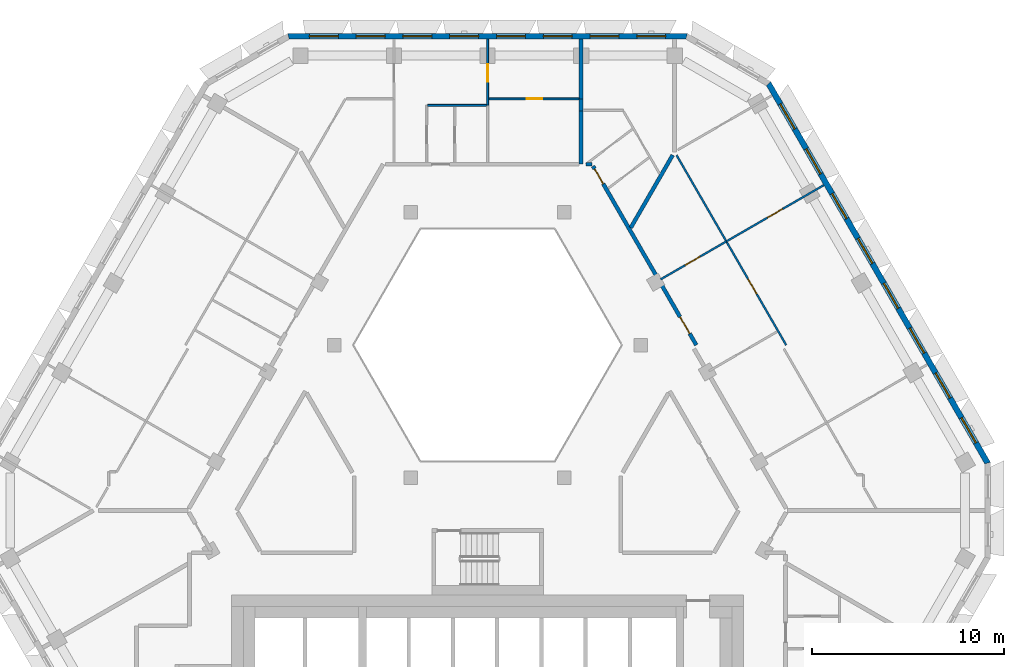
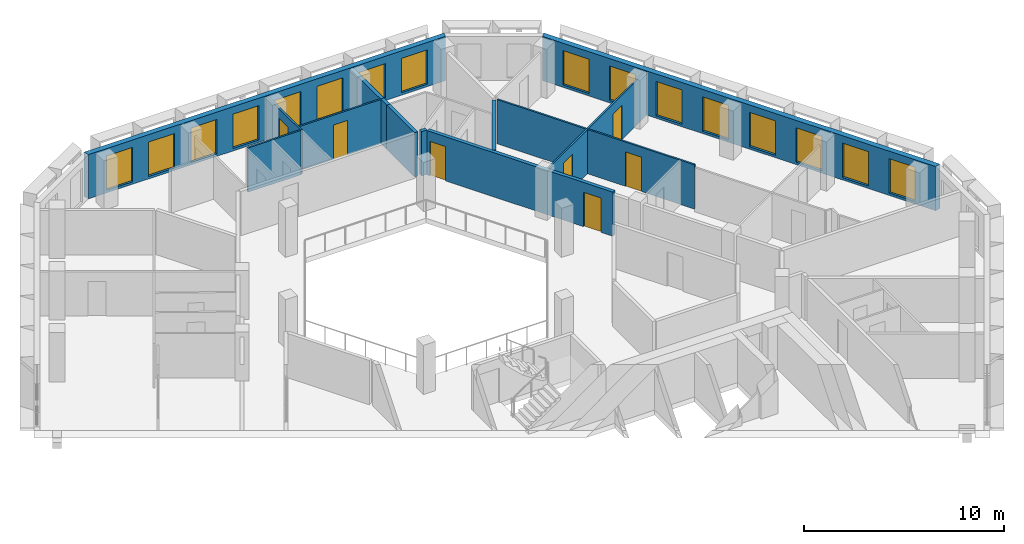
# One storey, part 8 of 17: 16 windows, 14 walls, 7 doors, 23 openings.
"""IFC4 building model written with IfcOpenShell, lengths in metres."""

from ifc_helpers import new_model, si_unit, direction, frame, frame_2d, origin, place, context, subcontext, project, spatial, polyline, rectangle, outline, extrude, material, layer, layer_set, type_object, element, fill, save


model = new_model("IFC4")

# Units and contexts
model_context = context("Model", 3, precision=1e-05, world=origin(), true_north=direction((0.0, 1.0)))
body_context = subcontext(model_context, "Body", "Model", "MODEL_VIEW")
ifc_project = project(units=[si_unit("LENGTHUNIT", "METRE"), si_unit("AREAUNIT", "SQUARE_METRE"), si_unit("VOLUMEUNIT", "CUBIC_METRE"), si_unit("PLANEANGLEUNIT", "RADIAN"), si_unit("MASSUNIT", "GRAM", prefix="KILO")], contexts=[model_context])

# Site, building, storey
site_placement = place(None, origin())
site = spatial("IfcSite", under=ifc_project, at=site_placement, CompositionType="ELEMENT")
building_placement = place(site_placement, origin())
building = spatial("IfcBuilding", under=site, at=building_placement, Name="Beryl Residences", CompositionType="ELEMENT")
storey_placement = place(building_placement, frame((0.0, 0.0, 178.199951171875)))
storey = spatial("IfcBuildingStorey", under=building, at=storey_placement, Name="L54", CompositionType="ELEMENT", Elevation=178.199951171875)

# Wall, openings, windows
ifc_material_1 = material(Name="Composite metal panel with mineral wool insulation")
ifc_layer_1 = layer(ifc_material_1, 0.300048828125)
ifc_layer_set_1 = layer_set([ifc_layer_1], Name="ES1 pale metal composite panel wall 300 mm")
wall_type_1 = type_object("IfcWallType", Name="ES1 pale metal composite panel wall 300 mm", PredefinedType="SOLIDWALL", material=ifc_layer_set_1)
wall_1_placement = place(storey_placement, frame((10.39208984375, 24.050048828125, 0.0), z_axis=(0.0, 0.0, 1.0), x_axis=(-1.0, 0.0, 0.0)))
wall_1 = element("IfcWall", 1, at=wall_1_placement, inside=storey, type_object=wall_type_1, Name="ES1 external wall L54 N", PredefinedType="SOLIDWALL", context=body_context, shape_type="SweptSolid", body=[
    extrude(outline(polyline([(0.0, -0.14990234375), (20.7841796875, -0.14990234375), (20.703857421875, 0.14990234375), (0.080322265625, 0.14990234375), (0.0, -0.14990234375)])), origin(), (0.0, 0.0, 1.0), 2.699951171875),
])
opening_1_placement = place(wall_1_placement, frame((1.1298828125, 0.0, 0.14990234375)))
opening_1 = element("IfcOpeningElement", 2, at=opening_1_placement, cuts=wall_1, Name="Opening W1", PredefinedType="OPENING", context=body_context, shape_type="SweptSolid", body=[
    extrude(rectangle(XDim=1.5, YDim=2.10009765625, at=frame_2d((0.75, 1.050048828125))), frame((0.0, 0.159912109375, 0.0), z_axis=(0.0, -1.0, 0.0), x_axis=(1.0, 0.0, 0.0)), (0.0, 0.0, 1.0), 0.320068359375),
])
opening_2_placement = place(wall_1_placement, frame((3.56201171875, 0.0, 0.14990234375)))
opening_2 = element("IfcOpeningElement", 3, at=opening_2_placement, cuts=wall_1, Name="Opening W1", PredefinedType="OPENING", context=body_context, shape_type="SweptSolid", body=[
    extrude(rectangle(XDim=1.5, YDim=2.10009765625, at=frame_2d((0.75, 1.050048828125))), frame((0.0, 0.159912109375, 0.0), z_axis=(0.0, -1.0, 0.0), x_axis=(1.0, 0.0, 0.0)), (0.0, 0.0, 1.0), 0.320068359375),
])
opening_3_placement = place(wall_1_placement, frame((5.993896484375, 0.0, 0.14990234375)))
opening_3 = element("IfcOpeningElement", 4, at=opening_3_placement, cuts=wall_1, Name="Opening W1", PredefinedType="OPENING", context=body_context, shape_type="SweptSolid", body=[
    extrude(rectangle(XDim=1.5, YDim=2.10009765625, at=frame_2d((0.75, 1.050048828125))), frame((0.0, 0.159912109375, 0.0), z_axis=(0.0, -1.0, 0.0), x_axis=(1.0, 0.0, 0.0)), (0.0, 0.0, 1.0), 0.320068359375),
])
opening_4_placement = place(wall_1_placement, frame((8.426025390625, 0.0, 0.14990234375)))
opening_4 = element("IfcOpeningElement", 5, at=opening_4_placement, cuts=wall_1, Name="Opening W1", PredefinedType="OPENING", context=body_context, shape_type="SweptSolid", body=[
    extrude(rectangle(XDim=1.5, YDim=2.10009765625, at=frame_2d((0.75, 1.050048828125))), frame((0.0, 0.159912109375, 0.0), z_axis=(0.0, -1.0, 0.0), x_axis=(1.0, 0.0, 0.0)), (0.0, 0.0, 1.0), 0.320068359375),
])
opening_5_placement = place(wall_1_placement, frame((10.85791015625, 0.0, 0.14990234375)))
opening_5 = element("IfcOpeningElement", 6, at=opening_5_placement, cuts=wall_1, Name="Opening W1", PredefinedType="OPENING", context=body_context, shape_type="SweptSolid", body=[
    extrude(rectangle(XDim=1.5, YDim=2.10009765625, at=frame_2d((0.75, 1.050048828125))), frame((0.0, 0.159912109375, 0.0), z_axis=(0.0, -1.0, 0.0), x_axis=(1.0, 0.0, 0.0)), (0.0, 0.0, 1.0), 0.320068359375),
])
opening_6_placement = place(wall_1_placement, frame((13.2900390625, 0.0, 0.14990234375)))
opening_6 = element("IfcOpeningElement", 7, at=opening_6_placement, cuts=wall_1, Name="Opening W1", PredefinedType="OPENING", context=body_context, shape_type="SweptSolid", body=[
    extrude(rectangle(XDim=1.5, YDim=2.10009765625, at=frame_2d((0.75, 1.050048828125))), frame((0.0, 0.159912109375, 0.0), z_axis=(0.0, -1.0, 0.0), x_axis=(1.0, 0.0, 0.0)), (0.0, 0.0, 1.0), 0.320068359375),
])
opening_7_placement = place(wall_1_placement, frame((15.721923828125, 0.0, 0.14990234375)))
opening_7 = element("IfcOpeningElement", 8, at=opening_7_placement, cuts=wall_1, Name="Opening W1", PredefinedType="OPENING", context=body_context, shape_type="SweptSolid", body=[
    extrude(rectangle(XDim=1.5, YDim=2.10009765625, at=frame_2d((0.75, 1.050048828125))), frame((0.0, 0.159912109375, 0.0), z_axis=(0.0, -1.0, 0.0), x_axis=(1.0, 0.0, 0.0)), (0.0, 0.0, 1.0), 0.320068359375),
])
opening_8_placement = place(wall_1_placement, frame((18.154052734375, 0.0, 0.14990234375)))
opening_8 = element("IfcOpeningElement", 9, at=opening_8_placement, cuts=wall_1, Name="Opening W1", PredefinedType="OPENING", context=body_context, shape_type="SweptSolid", body=[
    extrude(rectangle(XDim=1.5, YDim=2.10009765625, at=frame_2d((0.75, 1.050048828125))), frame((0.0, 0.159912109375, 0.0), z_axis=(0.0, -1.0, 0.0), x_axis=(1.0, 0.0, 0.0)), (0.0, 0.0, 1.0), 0.320068359375),
])
ifc_material_2 = material(Name="Aluminium and clear glass", Category="aluminium")
window_type = type_object("IfcWindowType", Name="W1 cell window 1500 x 2100 mm", PartitioningType="SINGLE_PANEL", PredefinedType="WINDOW", material=ifc_material_2)
window_1_placement = place(opening_1_placement, origin())
window_1 = element("IfcWindow", 10, at=window_1_placement, inside=storey, type_object=window_type, Name="W1 window L54 N 1", OverallHeight=2.10009765625, OverallWidth=1.5, PartitioningType="SINGLE_PANEL", PredefinedType="WINDOW", context=body_context, shape_type="SweptSolid", body=[
    extrude(rectangle(XDim=1.5, YDim=2.10009765625, at=frame_2d((0.75, 1.050048828125))), frame((0.0, 0.030029296875, 0.0), z_axis=(0.0, -1.0, 0.0), x_axis=(1.0, 0.0, 0.0)), (0.0, 0.0, 1.0), 0.06005859375),
])
fill(opening_1, window_1)
window_2_placement = place(opening_2_placement, origin())
window_2 = element("IfcWindow", 11, at=window_2_placement, inside=storey, type_object=window_type, Name="W1 window L54 N 2", OverallHeight=2.10009765625, OverallWidth=1.5, PartitioningType="SINGLE_PANEL", PredefinedType="WINDOW", context=body_context, shape_type="SweptSolid", body=[
    extrude(rectangle(XDim=1.5, YDim=2.10009765625, at=frame_2d((0.75, 1.050048828125))), frame((0.0, 0.030029296875, 0.0), z_axis=(0.0, -1.0, 0.0), x_axis=(1.0, 0.0, 0.0)), (0.0, 0.0, 1.0), 0.06005859375),
])
fill(opening_2, window_2)
window_3_placement = place(opening_3_placement, origin())
window_3 = element("IfcWindow", 12, at=window_3_placement, inside=storey, type_object=window_type, Name="W1 window L54 N 3", OverallHeight=2.10009765625, OverallWidth=1.5, PartitioningType="SINGLE_PANEL", PredefinedType="WINDOW", context=body_context, shape_type="SweptSolid", body=[
    extrude(rectangle(XDim=1.5, YDim=2.10009765625, at=frame_2d((0.75, 1.050048828125))), frame((0.0, 0.030029296875, 0.0), z_axis=(0.0, -1.0, 0.0), x_axis=(1.0, 0.0, 0.0)), (0.0, 0.0, 1.0), 0.06005859375),
])
fill(opening_3, window_3)
window_4_placement = place(opening_4_placement, origin())
window_4 = element("IfcWindow", 13, at=window_4_placement, inside=storey, type_object=window_type, Name="W1 window L54 N 4", OverallHeight=2.10009765625, OverallWidth=1.5, PartitioningType="SINGLE_PANEL", PredefinedType="WINDOW", context=body_context, shape_type="SweptSolid", body=[
    extrude(rectangle(XDim=1.5, YDim=2.10009765625, at=frame_2d((0.75, 1.050048828125))), frame((0.0, 0.030029296875, 0.0), z_axis=(0.0, -1.0, 0.0), x_axis=(1.0, 0.0, 0.0)), (0.0, 0.0, 1.0), 0.06005859375),
])
fill(opening_4, window_4)
window_5_placement = place(opening_5_placement, origin())
window_5 = element("IfcWindow", 14, at=window_5_placement, inside=storey, type_object=window_type, Name="W1 window L54 N 5", OverallHeight=2.10009765625, OverallWidth=1.5, PartitioningType="SINGLE_PANEL", PredefinedType="WINDOW", context=body_context, shape_type="SweptSolid", body=[
    extrude(rectangle(XDim=1.5, YDim=2.10009765625, at=frame_2d((0.75, 1.050048828125))), frame((0.0, 0.030029296875, 0.0), z_axis=(0.0, -1.0, 0.0), x_axis=(1.0, 0.0, 0.0)), (0.0, 0.0, 1.0), 0.06005859375),
])
fill(opening_5, window_5)
window_6_placement = place(opening_6_placement, origin())
window_6 = element("IfcWindow", 15, at=window_6_placement, inside=storey, type_object=window_type, Name="W1 window L54 N 6", OverallHeight=2.10009765625, OverallWidth=1.5, PartitioningType="SINGLE_PANEL", PredefinedType="WINDOW", context=body_context, shape_type="SweptSolid", body=[
    extrude(rectangle(XDim=1.5, YDim=2.10009765625, at=frame_2d((0.75, 1.050048828125))), frame((0.0, 0.030029296875, 0.0), z_axis=(0.0, -1.0, 0.0), x_axis=(1.0, 0.0, 0.0)), (0.0, 0.0, 1.0), 0.06005859375),
])
fill(opening_6, window_6)
window_7_placement = place(opening_7_placement, origin())
window_7 = element("IfcWindow", 16, at=window_7_placement, inside=storey, type_object=window_type, Name="W1 window L54 N 7", OverallHeight=2.10009765625, OverallWidth=1.5, PartitioningType="SINGLE_PANEL", PredefinedType="WINDOW", context=body_context, shape_type="SweptSolid", body=[
    extrude(rectangle(XDim=1.5, YDim=2.10009765625, at=frame_2d((0.75, 1.050048828125))), frame((0.0, 0.030029296875, 0.0), z_axis=(0.0, -1.0, 0.0), x_axis=(1.0, 0.0, 0.0)), (0.0, 0.0, 1.0), 0.06005859375),
])
fill(opening_7, window_7)
window_8_placement = place(opening_8_placement, origin())
window_8 = element("IfcWindow", 17, at=window_8_placement, inside=storey, type_object=window_type, Name="W1 window L54 N 8", OverallHeight=2.10009765625, OverallWidth=1.5, PartitioningType="SINGLE_PANEL", PredefinedType="WINDOW", context=body_context, shape_type="SweptSolid", body=[
    extrude(rectangle(XDim=1.5, YDim=2.10009765625, at=frame_2d((0.75, 1.050048828125))), frame((0.0, 0.030029296875, 0.0), z_axis=(0.0, -1.0, 0.0), x_axis=(1.0, 0.0, 0.0)), (0.0, 0.0, 1.0), 0.06005859375),
])
fill(opening_8, window_8)

wall_2_placement = place(storey_placement, frame((26.02392578125, 1.824951171875, 0.0), z_axis=(0.0, 0.0, 1.0), x_axis=(-0.500010537973, 0.866019319597, 0.0)))
wall_2 = element("IfcWall", 18, at=wall_2_placement, inside=storey, type_object=wall_type_1, Name="ES1 external wall L54 NE", PredefinedType="SOLIDWALL", context=body_context, shape_type="SweptSolid", body=[
    extrude(outline(polyline([(0.0, -0.14990234375), (22.86328125, -0.14990234375), (22.782958984375, 0.14990234375), (0.080322265625, 0.14990234375), (0.0, -0.14990234375)])), origin(), (0.0, 0.0, 1.0), 2.699951171875),
])
opening_9_placement = place(wall_2_placement, frame((1.259033203125, 0.0, 0.14990234375)))
opening_9 = element("IfcOpeningElement", 19, at=opening_9_placement, cuts=wall_2, Name="Opening W1", PredefinedType="OPENING", context=body_context, shape_type="SweptSolid", body=[
    extrude(rectangle(XDim=1.5, YDim=2.10009765625, at=frame_2d((0.75, 1.050048828125))), frame((0.0, 0.159912109375, 0.0), z_axis=(0.0, -1.0, 0.0), x_axis=(1.0, 0.0, 0.0)), (0.0, 0.0, 1.0), 0.320068359375),
])
opening_10_placement = place(wall_2_placement, frame((3.951904296875, 0.0, 0.14990234375)))
opening_10 = element("IfcOpeningElement", 20, at=opening_10_placement, cuts=wall_2, Name="Opening W1", PredefinedType="OPENING", context=body_context, shape_type="SweptSolid", body=[
    extrude(rectangle(XDim=1.5, YDim=2.10009765625, at=frame_2d((0.75, 1.050048828125))), frame((0.0, 0.159912109375, 0.0), z_axis=(0.0, -1.0, 0.0), x_axis=(1.0, 0.0, 0.0)), (0.0, 0.0, 1.0), 0.320068359375),
])
opening_11_placement = place(wall_2_placement, frame((6.64404296875, 0.0, 0.14990234375)))
opening_11 = element("IfcOpeningElement", 21, at=opening_11_placement, cuts=wall_2, Name="Opening W1", PredefinedType="OPENING", context=body_context, shape_type="SweptSolid", body=[
    extrude(rectangle(XDim=1.5, YDim=2.10009765625, at=frame_2d((0.75, 1.050048828125))), frame((0.0, 0.159912109375, 0.0), z_axis=(0.0, -1.0, 0.0), x_axis=(1.0, 0.0, 0.0)), (0.0, 0.0, 1.0), 0.320068359375),
])
opening_12_placement = place(wall_2_placement, frame((9.3349609375, 0.0, 0.14990234375)))
opening_12 = element("IfcOpeningElement", 22, at=opening_12_placement, cuts=wall_2, Name="Opening W1", PredefinedType="OPENING", context=body_context, shape_type="SweptSolid", body=[
    extrude(rectangle(XDim=1.5, YDim=2.10009765625, at=frame_2d((0.75, 1.050048828125))), frame((0.0, 0.159912109375, 0.0), z_axis=(0.0, -1.0, 0.0), x_axis=(1.0, 0.0, 0.0)), (0.0, 0.0, 1.0), 0.320068359375),
])
opening_13_placement = place(wall_2_placement, frame((12.028076171875, 0.0, 0.14990234375)))
opening_13 = element("IfcOpeningElement", 23, at=opening_13_placement, cuts=wall_2, Name="Opening W1", PredefinedType="OPENING", context=body_context, shape_type="SweptSolid", body=[
    extrude(rectangle(XDim=1.5, YDim=2.10009765625, at=frame_2d((0.75, 1.050048828125))), frame((0.0, 0.159912109375, 0.0), z_axis=(0.0, -1.0, 0.0), x_axis=(1.0, 0.0, 0.0)), (0.0, 0.0, 1.0), 0.320068359375),
])
opening_14_placement = place(wall_2_placement, frame((14.719970703125, 0.0, 0.14990234375)))
opening_14 = element("IfcOpeningElement", 24, at=opening_14_placement, cuts=wall_2, Name="Opening W1", PredefinedType="OPENING", context=body_context, shape_type="SweptSolid", body=[
    extrude(rectangle(XDim=1.5, YDim=2.10009765625, at=frame_2d((0.75, 1.050048828125))), frame((0.0, 0.159912109375, 0.0), z_axis=(0.0, -1.0, 0.0), x_axis=(1.0, 0.0, 0.0)), (0.0, 0.0, 1.0), 0.320068359375),
])
opening_15_placement = place(wall_2_placement, frame((17.410888671875, 0.0, 0.14990234375)))
opening_15 = element("IfcOpeningElement", 25, at=opening_15_placement, cuts=wall_2, Name="Opening W1", PredefinedType="OPENING", context=body_context, shape_type="SweptSolid", body=[
    extrude(rectangle(XDim=1.5, YDim=2.10009765625, at=frame_2d((0.75, 1.050048828125))), frame((0.0, 0.159912109375, 0.0), z_axis=(0.0, -1.0, 0.0), x_axis=(1.0, 0.0, 0.0)), (0.0, 0.0, 1.0), 0.320068359375),
])
opening_16_placement = place(wall_2_placement, frame((20.10400390625, 0.0, 0.14990234375)))
opening_16 = element("IfcOpeningElement", 26, at=opening_16_placement, cuts=wall_2, Name="Opening W1", PredefinedType="OPENING", context=body_context, shape_type="SweptSolid", body=[
    extrude(rectangle(XDim=1.5, YDim=2.10009765625, at=frame_2d((0.75, 1.050048828125))), frame((0.0, 0.159912109375, 0.0), z_axis=(0.0, -1.0, 0.0), x_axis=(1.0, 0.0, 0.0)), (0.0, 0.0, 1.0), 0.320068359375),
])
window_9_placement = place(opening_9_placement, origin())
window_9 = element("IfcWindow", 27, at=window_9_placement, inside=storey, type_object=window_type, Name="W1 window L54 NE 1", OverallHeight=2.10009765625, OverallWidth=1.5, PartitioningType="SINGLE_PANEL", PredefinedType="WINDOW", context=body_context, shape_type="SweptSolid", body=[
    extrude(rectangle(XDim=1.5, YDim=2.10009765625, at=frame_2d((0.75, 1.050048828125))), frame((0.0, 0.030029296875, 0.0), z_axis=(0.0, -1.0, 0.0), x_axis=(1.0, 0.0, 0.0)), (0.0, 0.0, 1.0), 0.06005859375),
])
fill(opening_9, window_9)
window_10_placement = place(opening_10_placement, origin())
window_10 = element("IfcWindow", 28, at=window_10_placement, inside=storey, type_object=window_type, Name="W1 window L54 NE 2", OverallHeight=2.10009765625, OverallWidth=1.5, PartitioningType="SINGLE_PANEL", PredefinedType="WINDOW", context=body_context, shape_type="SweptSolid", body=[
    extrude(rectangle(XDim=1.5, YDim=2.10009765625, at=frame_2d((0.75, 1.050048828125))), frame((0.0, 0.030029296875, 0.0), z_axis=(0.0, -1.0, 0.0), x_axis=(1.0, 0.0, 0.0)), (0.0, 0.0, 1.0), 0.06005859375),
])
fill(opening_10, window_10)
window_11_placement = place(opening_11_placement, origin())
window_11 = element("IfcWindow", 29, at=window_11_placement, inside=storey, type_object=window_type, Name="W1 window L54 NE 3", OverallHeight=2.10009765625, OverallWidth=1.5, PartitioningType="SINGLE_PANEL", PredefinedType="WINDOW", context=body_context, shape_type="SweptSolid", body=[
    extrude(rectangle(XDim=1.5, YDim=2.10009765625, at=frame_2d((0.75, 1.050048828125))), frame((0.0, 0.030029296875, 0.0), z_axis=(0.0, -1.0, 0.0), x_axis=(1.0, 0.0, 0.0)), (0.0, 0.0, 1.0), 0.06005859375),
])
fill(opening_11, window_11)
window_12_placement = place(opening_12_placement, origin())
window_12 = element("IfcWindow", 30, at=window_12_placement, inside=storey, type_object=window_type, Name="W1 window L54 NE 4", OverallHeight=2.10009765625, OverallWidth=1.5, PartitioningType="SINGLE_PANEL", PredefinedType="WINDOW", context=body_context, shape_type="SweptSolid", body=[
    extrude(rectangle(XDim=1.5, YDim=2.10009765625, at=frame_2d((0.75, 1.050048828125))), frame((0.0, 0.030029296875, 0.0), z_axis=(0.0, -1.0, 0.0), x_axis=(1.0, 0.0, 0.0)), (0.0, 0.0, 1.0), 0.06005859375),
])
fill(opening_12, window_12)
window_13_placement = place(opening_13_placement, origin())
window_13 = element("IfcWindow", 31, at=window_13_placement, inside=storey, type_object=window_type, Name="W1 window L54 NE 5", OverallHeight=2.10009765625, OverallWidth=1.5, PartitioningType="SINGLE_PANEL", PredefinedType="WINDOW", context=body_context, shape_type="SweptSolid", body=[
    extrude(rectangle(XDim=1.5, YDim=2.10009765625, at=frame_2d((0.75, 1.050048828125))), frame((0.0, 0.030029296875, 0.0), z_axis=(0.0, -1.0, 0.0), x_axis=(1.0, 0.0, 0.0)), (0.0, 0.0, 1.0), 0.06005859375),
])
fill(opening_13, window_13)
window_14_placement = place(opening_14_placement, origin())
window_14 = element("IfcWindow", 32, at=window_14_placement, inside=storey, type_object=window_type, Name="W1 window L54 NE 6", OverallHeight=2.10009765625, OverallWidth=1.5, PartitioningType="SINGLE_PANEL", PredefinedType="WINDOW", context=body_context, shape_type="SweptSolid", body=[
    extrude(rectangle(XDim=1.5, YDim=2.10009765625, at=frame_2d((0.75, 1.050048828125))), frame((0.0, 0.030029296875, 0.0), z_axis=(0.0, -1.0, 0.0), x_axis=(1.0, 0.0, 0.0)), (0.0, 0.0, 1.0), 0.06005859375),
])
fill(opening_14, window_14)
window_15_placement = place(opening_15_placement, origin())
window_15 = element("IfcWindow", 33, at=window_15_placement, inside=storey, type_object=window_type, Name="W1 window L54 NE 7", OverallHeight=2.10009765625, OverallWidth=1.5, PartitioningType="SINGLE_PANEL", PredefinedType="WINDOW", context=body_context, shape_type="SweptSolid", body=[
    extrude(rectangle(XDim=1.5, YDim=2.10009765625, at=frame_2d((0.75, 1.050048828125))), frame((0.0, 0.030029296875, 0.0), z_axis=(0.0, -1.0, 0.0), x_axis=(1.0, 0.0, 0.0)), (0.0, 0.0, 1.0), 0.06005859375),
])
fill(opening_15, window_15)
window_16_placement = place(opening_16_placement, origin())
window_16 = element("IfcWindow", 34, at=window_16_placement, inside=storey, type_object=window_type, Name="W1 window L54 NE 8", OverallHeight=2.10009765625, OverallWidth=1.5, PartitioningType="SINGLE_PANEL", PredefinedType="WINDOW", context=body_context, shape_type="SweptSolid", body=[
    extrude(rectangle(XDim=1.5, YDim=2.10009765625, at=frame_2d((0.75, 1.050048828125))), frame((0.0, 0.030029296875, 0.0), z_axis=(0.0, -1.0, 0.0), x_axis=(1.0, 0.0, 0.0)), (0.0, 0.0, 1.0), 0.06005859375),
])
fill(opening_16, window_16)

# Wall, opening, door
ifc_material_3 = material(Name="Gypsum board partition on steel studs", Category="steel")
ifc_layer_2 = layer(ifc_material_3, 0.10009765625)
ifc_layer_set_2 = layer_set([ifc_layer_2], Name="PT1 partition 100 mm gypsum board on steel studs")
wall_type_2 = type_object("IfcWallType", Name="PT1 partition 100 mm gypsum board on steel studs", PredefinedType="PARTITIONING", material=ifc_layer_set_2)
wall_3_placement = place(storey_placement, frame((9.826904296875, 17.8740234375, 0.0), z_axis=(0.0, 0.0, 1.0), x_axis=(0.499962189394, -0.866047232647, 0.0)))
wall_3 = element("IfcWall", 35, at=wall_3_placement, inside=storey, type_object=wall_type_2, Name="Wall PT1 L54 004", PredefinedType="PARTITIONING", context=body_context, shape_type="SweptSolid", body=[
    extrude(rectangle(XDim=11.4013671875, YDim=0.10009765625, at=frame_2d((5.70068359375, 0.0))), origin(), (0.0, 0.0, 1.0), 2.699951171875),
])
opening_17_placement = place(wall_3_placement, frame((7.43310546875, 0.0, 0.0)))
opening_17 = element("IfcOpeningElement", 36, at=opening_17_placement, cuts=wall_3, Name="Opening D1427", PredefinedType="OPENING", context=body_context, shape_type="SweptSolid", body=[
    extrude(rectangle(XDim=0.89990234375, YDim=2.10009765625, at=frame_2d((0.449951171875, 1.050048828125))), frame((0.0, 0.06005859375, 0.0), z_axis=(0.0, -1.0, 0.0), x_axis=(1.0, 0.0, 0.0)), (0.0, 0.0, 1.0), 0.1201171875),
])
ifc_material_4 = material(Name="Timber door leaf", Category="wood")
door_type_1 = type_object("IfcDoorType", Name="D2 room door 900 x 2100 mm", OperationType="SINGLE_SWING_LEFT", PredefinedType="DOOR", material=ifc_material_4)
door_1_placement = place(opening_17_placement, origin())
door_1 = element("IfcDoor", 37, at=door_1_placement, inside=storey, type_object=door_type_1, Name="Door D1427 L54 001", OperationType="SINGLE_SWING_LEFT", OverallHeight=2.10009765625, OverallWidth=0.89990234375, PredefinedType="DOOR", context=body_context, shape_type="SweptSolid", body=[
    extrude(rectangle(XDim=0.89990234375, YDim=2.10009765625, at=frame_2d((0.449951171875, 1.050048828125))), frame((0.0, 0.02490234375, 0.0), z_axis=(0.0, -1.0, 0.0), x_axis=(1.0, 0.0, 0.0)), (0.0, 0.0, 1.0), 0.050048828125),
])
fill(opening_17, door_1)

# Wall
wall_4_placement = place(storey_placement, frame((-3.111083984375, 20.4599609375, 0.0), z_axis=(0.0, 0.0, 1.0), x_axis=(1.0, 0.0, 0.0)))
element("IfcWall", 38, at=wall_4_placement, inside=storey, type_object=wall_type_2, Name="Wall PT1 L54 018", PredefinedType="PARTITIONING", context=body_context, shape_type="SweptSolid", body=[
    extrude(rectangle(XDim=3.06103515625, YDim=0.10009765625, at=frame_2d((1.530517578125, 0.0))), origin(), (0.0, 0.0, 1.0), 2.699951171875),
])

# Wall, opening, door
wall_5_placement = place(storey_placement, frame((0.050048828125, 20.799072265625, 0.0), z_axis=(0.0, 0.0, 1.0), x_axis=(1.0, 0.0, 0.0)))
wall_5 = element("IfcWall", 39, at=wall_5_placement, inside=storey, type_object=wall_type_2, Name="Wall PT1 L54 020", PredefinedType="PARTITIONING", context=body_context, shape_type="SweptSolid", body=[
    extrude(rectangle(XDim=4.7138671875, YDim=0.10009765625, at=frame_2d((2.35693359375, 0.0))), origin(), (0.0, 0.0, 1.0), 2.699951171875),
])
opening_18_placement = place(wall_5_placement, frame((1.98193359375, 0.0, 0.0)))
opening_18 = element("IfcOpeningElement", 40, at=opening_18_placement, cuts=wall_5, Name="Opening D1406", PredefinedType="OPENING", context=body_context, shape_type="SweptSolid", body=[
    extrude(rectangle(XDim=0.800048828125, YDim=2.10009765625, at=frame_2d((0.39990234375, 1.050048828125))), frame((0.0, 0.06005859375, 0.0), z_axis=(0.0, -1.0, 0.0), x_axis=(1.0, 0.0, 0.0)), (0.0, 0.0, 1.0), 0.1201171875),
])
ifc_material_5 = material(Name="Timber door leaf", Category="wood")
door_type_2 = type_object("IfcDoorType", Name="D3 bathroom door 800 x 2100 mm", OperationType="SINGLE_SWING_LEFT", PredefinedType="DOOR", material=ifc_material_5)
door_2_placement = place(opening_18_placement, origin())
door_2 = element("IfcDoor", 41, at=door_2_placement, inside=storey, type_object=door_type_2, Name="Door D1406 L54 001", OperationType="SINGLE_SWING_RIGHT", OverallHeight=2.10009765625, OverallWidth=0.800048828125, PredefinedType="DOOR", context=body_context, shape_type="SweptSolid", body=[
    extrude(rectangle(XDim=0.800048828125, YDim=2.10009765625, at=frame_2d((0.39990234375, 1.050048828125))), frame((0.0, 0.02490234375, 0.0), z_axis=(0.0, -1.0, 0.0), x_axis=(1.0, 0.0, 0.0)), (0.0, 0.0, 1.0), 0.050048828125),
])
fill(opening_18, door_2)

wall_6_placement = place(storey_placement, frame((0.0, 20.43994140625, 0.0), z_axis=(0.0, 0.0, 1.0), x_axis=(0.0, 1.0, 0.0)))
wall_6 = element("IfcWall", 42, at=wall_6_placement, inside=storey, type_object=wall_type_2, Name="Wall PT1 L54 027", PredefinedType="PARTITIONING", context=body_context, shape_type="SweptSolid", body=[
    extrude(rectangle(XDim=3.4599609375, YDim=0.10009765625, at=frame_2d((1.72998046875, 0.0))), origin(), (0.0, 0.0, 1.0), 2.699951171875),
])
opening_19_placement = place(wall_6_placement, frame((1.260009765625, 0.0, 0.0)))
opening_19 = element("IfcOpeningElement", 43, at=opening_19_placement, cuts=wall_6, Name="Opening D1405", PredefinedType="OPENING", context=body_context, shape_type="SweptSolid", body=[
    extrude(rectangle(XDim=0.89990234375, YDim=2.10009765625, at=frame_2d((0.449951171875, 1.050048828125))), frame((0.0, 0.06005859375, 0.0), z_axis=(0.0, -1.0, 0.0), x_axis=(1.0, 0.0, 0.0)), (0.0, 0.0, 1.0), 0.1201171875),
])
door_3_placement = place(opening_19_placement, origin())
door_3 = element("IfcDoor", 44, at=door_3_placement, inside=storey, type_object=door_type_1, Name="Door D1405 L54 001", OperationType="SINGLE_SWING_LEFT", OverallHeight=2.10009765625, OverallWidth=0.89990234375, PredefinedType="DOOR", context=body_context, shape_type="SweptSolid", body=[
    extrude(rectangle(XDim=0.89990234375, YDim=2.10009765625, at=frame_2d((0.449951171875, 1.050048828125))), frame((0.0, 0.02490234375, 0.0), z_axis=(0.0, -1.0, 0.0), x_axis=(1.0, 0.0, 0.0)), (0.0, 0.0, 1.0), 0.050048828125),
])
fill(opening_19, door_3)

wall_7_placement = place(storey_placement, frame((8.9990234375, 11.4130859375, 0.0), z_axis=(0.0, 0.0, 1.0), x_axis=(0.865969252911, 0.500097243556, 0.0)))
wall_7 = element("IfcWall", 45, at=wall_7_placement, inside=storey, type_object=wall_type_2, Name="Wall PT1 L54 034", PredefinedType="PARTITIONING", context=body_context, shape_type="SweptSolid", body=[
    extrude(rectangle(XDim=3.947021484375, YDim=0.10009765625, at=frame_2d((1.9736328125, 0.0))), origin(), (0.0, 0.0, 1.0), 2.699951171875),
])
opening_20_placement = place(wall_7_placement, frame((1.47412109375, 0.0, 0.0)))
opening_20 = element("IfcOpeningElement", 46, at=opening_20_placement, cuts=wall_7, Name="Opening D1429", PredefinedType="OPENING", context=body_context, shape_type="SweptSolid", body=[
    extrude(rectangle(XDim=0.89990234375, YDim=2.10009765625, at=frame_2d((0.449951171875, 1.050048828125))), frame((0.0, 0.06005859375, 0.0), z_axis=(0.0, -1.0, 0.0), x_axis=(1.0, 0.0, 0.0)), (0.0, 0.0, 1.0), 0.1201171875),
])
door_4_placement = place(opening_20_placement, origin())
door_4 = element("IfcDoor", 47, at=door_4_placement, inside=storey, type_object=door_type_1, Name="Door D1429 L54 001", OperationType="SINGLE_SWING_LEFT", OverallHeight=2.10009765625, OverallWidth=0.89990234375, PredefinedType="DOOR", context=body_context, shape_type="SweptSolid", body=[
    extrude(rectangle(XDim=0.89990234375, YDim=2.10009765625, at=frame_2d((0.449951171875, 1.050048828125))), frame((0.0, 0.02490234375, 0.0), z_axis=(0.0, -1.0, 0.0), x_axis=(1.0, 0.0, 0.0)), (0.0, 0.0, 1.0), 0.050048828125),
])
fill(opening_20, door_4)

wall_8_placement = place(storey_placement, frame((12.4169921875, 13.386962890625, 0.0), z_axis=(0.0, 0.0, 1.0), x_axis=(0.866070981966, 0.499921047963, 0.0)))
wall_8 = element("IfcWall", 48, at=wall_8_placement, inside=storey, type_object=wall_type_2, Name="Wall PT1 L54 039", PredefinedType="PARTITIONING", context=body_context, shape_type="SweptSolid", body=[
    extrude(rectangle(XDim=5.85302734375, YDim=0.10009765625, at=frame_2d((2.926513671875, 0.0))), origin(), (0.0, 0.0, 1.0), 2.699951171875),
])
opening_21_placement = place(wall_8_placement, frame((2.47607421875, 0.0, 0.0)))
opening_21 = element("IfcOpeningElement", 49, at=opening_21_placement, cuts=wall_8, Name="Opening D1431", PredefinedType="OPENING", context=body_context, shape_type="SweptSolid", body=[
    extrude(rectangle(XDim=0.89990234375, YDim=2.10009765625, at=frame_2d((0.449951171875, 1.050048828125))), frame((0.0, 0.06005859375, 0.0), z_axis=(0.0, -1.0, 0.0), x_axis=(1.0, 0.0, 0.0)), (0.0, 0.0, 1.0), 0.1201171875),
])
door_5_placement = place(opening_21_placement, origin())
door_5 = element("IfcDoor", 50, at=door_5_placement, inside=storey, type_object=door_type_1, Name="Door D1431 L54 001", OperationType="SINGLE_SWING_LEFT", OverallHeight=2.10009765625, OverallWidth=0.89990234375, PredefinedType="DOOR", context=body_context, shape_type="SweptSolid", body=[
    extrude(rectangle(XDim=0.89990234375, YDim=2.10009765625, at=frame_2d((0.449951171875, 1.050048828125))), frame((0.0, 0.02490234375, 0.0), z_axis=(0.0, -1.0, 0.0), x_axis=(1.0, 0.0, 0.0)), (0.0, 0.0, 1.0), 0.050048828125),
])
fill(opening_21, door_5)

# Walls
ifc_material_6 = material(Name="Acoustic double stud gypsum board wall")
ifc_layer_3 = layer(ifc_material_6, 0.199951171875)
ifc_layer_set_3 = layer_set([ifc_layer_3], Name="PT3 party wall 200 mm acoustic double stud")
wall_type_3 = type_object("IfcWallType", Name="PT3 party wall 200 mm acoustic double stud", PredefinedType="PARTITIONING", material=ifc_layer_set_3)
wall_9_placement = place(storey_placement, frame((4.864013671875, 20.799072265625, 0.0), z_axis=(0.0, 0.0, 1.0), x_axis=(0.0, -1.0, 0.0)))
element("IfcWall", 51, at=wall_9_placement, inside=storey, type_object=wall_type_3, Name="Wall PT3 L54 002", PredefinedType="PARTITIONING", context=body_context, shape_type="SweptSolid", body=[
    extrude(rectangle(XDim=0.619140625, YDim=0.199951171875, at=frame_2d((0.3095703125, 0.0))), origin(), (0.0, 0.0, 1.0), 2.699951171875),
])
wall_10_placement = place(storey_placement, frame((7.447998046875, 14.10009765625, 0.0), z_axis=(0.0, 0.0, 1.0), x_axis=(0.500013426303, 0.866017651966, 0.0)))
element("IfcWall", 52, at=wall_10_placement, inside=storey, type_object=wall_type_3, Name="Wall PT3 L54 009", PredefinedType="PARTITIONING", context=body_context, shape_type="SweptSolid", body=[
    extrude(rectangle(XDim=4.35791015625, YDim=0.199951171875, at=frame_2d((2.178955078125, 0.0))), origin(), (0.0, 0.0, 1.0), 2.699951171875),
])
wall_11_placement = place(storey_placement, frame((4.864013671875, 17.39990234375, 0.0), z_axis=(0.0, 0.0, 1.0), x_axis=(0.0, 1.0, 0.0)))
element("IfcWall", 53, at=wall_11_placement, inside=storey, type_object=wall_type_3, Name="Wall PT3 L54 010", PredefinedType="PARTITIONING", context=body_context, shape_type="SweptSolid", body=[
    extrude(rectangle(XDim=2.820068359375, YDim=0.199951171875, at=frame_2d((1.41015625, 0.0))), origin(), (0.0, 0.0, 1.0), 2.699951171875),
])
wall_12_placement = place(storey_placement, frame((4.864013671875, 20.799072265625, 0.0), z_axis=(0.0, 0.0, 1.0), x_axis=(0.0, 1.0, 0.0)))
element("IfcWall", 54, at=wall_12_placement, inside=storey, type_object=wall_type_3, Name="Wall PT3 L54 011", PredefinedType="PARTITIONING", context=body_context, shape_type="SweptSolid", body=[
    extrude(rectangle(XDim=3.100830078125, YDim=0.199951171875, at=frame_2d((1.55029296875, 0.0))), origin(), (0.0, 0.0, 1.0), 2.699951171875),
])

# Wall, openings, doors
ifc_material_7 = material(Name="Double stud gypsum board wall")
ifc_layer_4 = layer(ifc_material_7, 0.199951171875)
ifc_layer_set_4 = layer_set([ifc_layer_4], Name="PT4 corridor wall 200 mm double stud")
wall_type_4 = type_object("IfcWallType", Name="PT4 corridor wall 200 mm double stud", PredefinedType="PARTITIONING", material=ifc_layer_set_4)
wall_13_placement = place(storey_placement, frame((5.485107421875, 17.300048828125, 0.0), z_axis=(0.0, 0.0, 1.0), x_axis=(0.499965832213, -0.866045129667, 0.0)))
wall_13 = element("IfcWall", 55, at=wall_13_placement, inside=storey, type_object=wall_type_4, Name="Wall PT4 L54 006", PredefinedType="PARTITIONING", context=body_context, shape_type="SweptSolid", body=[
    extrude(rectangle(XDim=10.738525390625, YDim=0.199951171875, at=frame_2d((5.369140625, 0.0))), origin(), (0.0, 0.0, 1.0), 2.699951171875),
])
opening_22_placement = place(wall_13_placement, frame((9.048095703125, 0.0, 0.0)))
opening_22 = element("IfcOpeningElement", 56, at=opening_22_placement, cuts=wall_13, Name="Opening D1426", PredefinedType="OPENING", context=body_context, shape_type="SweptSolid", body=[
    extrude(rectangle(XDim=1.0, YDim=2.10009765625, at=frame_2d((0.5, 1.050048828125))), frame((0.0, 0.10986328125, 0.0), z_axis=(0.0, -1.0, 0.0), x_axis=(1.0, 0.0, 0.0)), (0.0, 0.0, 1.0), 0.219970703125),
])
opening_23_placement = place(wall_13_placement, frame((0.160888671875, 0.0, 0.0)))
opening_23 = element("IfcOpeningElement", 57, at=opening_23_placement, cuts=wall_13, Name="Opening D1434", PredefinedType="OPENING", context=body_context, shape_type="SweptSolid", body=[
    extrude(rectangle(XDim=0.89990234375, YDim=2.10009765625, at=frame_2d((0.449951171875, 1.050048828125))), frame((0.0, 0.10986328125, 0.0), z_axis=(0.0, -1.0, 0.0), x_axis=(1.0, 0.0, 0.0)), (0.0, 0.0, 1.0), 0.219970703125),
])
ifc_material_8 = material(Name="Timber door leaf", Category="wood")
door_type_3 = type_object("IfcDoorType", Name="D1 flat entrance door 1000 x 2100 mm", OperationType="SINGLE_SWING_LEFT", PredefinedType="DOOR", material=ifc_material_8)
door_6_placement = place(opening_22_placement, origin())
door_6 = element("IfcDoor", 58, at=door_6_placement, inside=storey, type_object=door_type_3, Name="Door D1426 L54 001", OperationType="SINGLE_SWING_RIGHT", OverallHeight=2.10009765625, OverallWidth=1.0, PredefinedType="DOOR", context=body_context, shape_type="SweptSolid", body=[
    extrude(rectangle(XDim=1.0, YDim=2.10009765625, at=frame_2d((0.5, 1.050048828125))), frame((0.0, 0.02490234375, 0.0), z_axis=(0.0, -1.0, 0.0), x_axis=(1.0, 0.0, 0.0)), (0.0, 0.0, 1.0), 0.050048828125),
])
fill(opening_22, door_6)
ifc_material_9 = material(Name="Timber door leaf", Category="wood")
door_type_4 = type_object("IfcDoorType", Name="D11 flat entrance door 900 x 2100 mm", OperationType="SINGLE_SWING_LEFT", PredefinedType="DOOR", material=ifc_material_9)
door_7_placement = place(opening_23_placement, origin())
door_7 = element("IfcDoor", 59, at=door_7_placement, inside=storey, type_object=door_type_4, Name="Door D1434 L54 001", OperationType="SINGLE_SWING_RIGHT", OverallHeight=2.10009765625, OverallWidth=0.89990234375, PredefinedType="DOOR", context=body_context, shape_type="SweptSolid", body=[
    extrude(rectangle(XDim=0.89990234375, YDim=2.10009765625, at=frame_2d((0.449951171875, 1.050048828125))), frame((0.0, 0.02490234375, 0.0), z_axis=(0.0, -1.0, 0.0), x_axis=(1.0, 0.0, 0.0)), (0.0, 0.0, 1.0), 0.050048828125),
])
fill(opening_23, door_7)

# Wall
wall_14_placement = place(storey_placement, frame((5.113037109375, 17.39990234375, 0.0), z_axis=(0.0, 0.0, 1.0), x_axis=(1.0, 0.0, 0.0)))
element("IfcWall", 60, at=wall_14_placement, inside=storey, type_object=wall_type_4, Name="Wall PT4 L54 015", PredefinedType="PARTITIONING", context=body_context, shape_type="SweptSolid", body=[
    extrude(rectangle(XDim=0.31396484375, YDim=0.199951171875, at=frame_2d((0.156982421875, 0.0))), origin(), (0.0, 0.0, 1.0), 2.699951171875),
])

save(model, "model.ifc")
